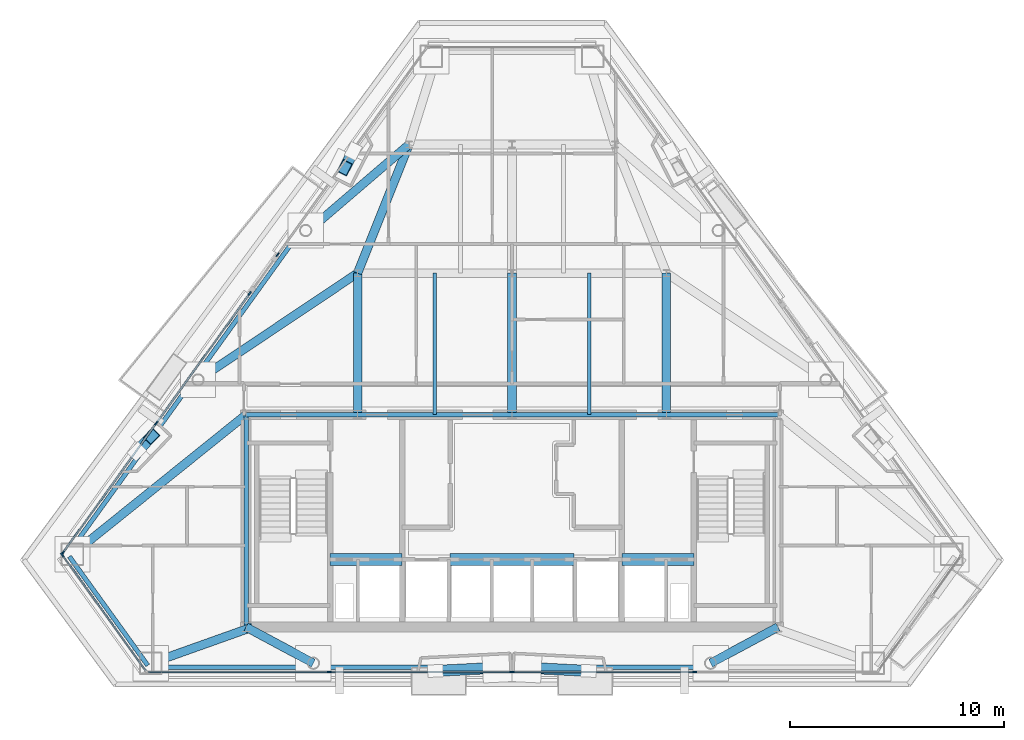
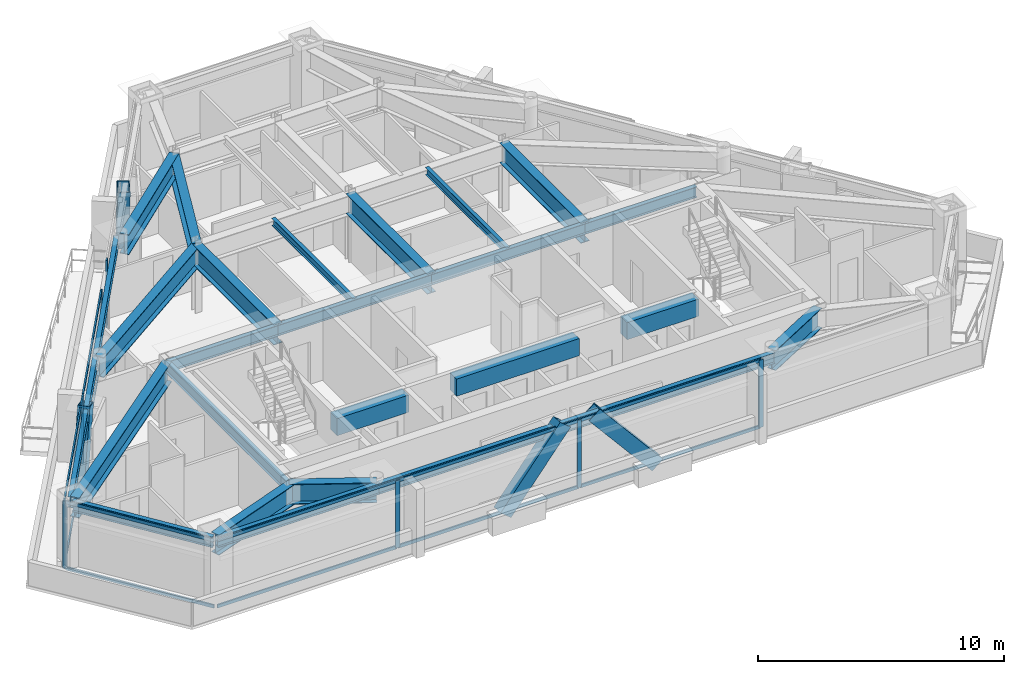
# One storey, part 3 of 11: 25 beams, 24 members, 4 elements without a shape of their own.
"""IFC4 building model written with IfcOpenShell, lengths in metres."""

from ifc_helpers import new_model, si_unit, direction, frame, origin, origin_2d, place, context, subcontext, project, spatial, rectangle, hollow_rectangle, i_section, extrude, material, layer, layer_set, material_profile, profile_set, type_object, element, aggregate, save


model = new_model("IFC4")

# Units and contexts
model_context = context("Model", 3, precision=1e-05, world=origin(), true_north=direction((0.0, 1.0)))
body_context = subcontext(model_context, "Body", "Model", "MODEL_VIEW")
ifc_project = project(units=[si_unit("LENGTHUNIT", "METRE"), si_unit("AREAUNIT", "SQUARE_METRE"), si_unit("VOLUMEUNIT", "CUBIC_METRE"), si_unit("PLANEANGLEUNIT", "RADIAN"), si_unit("MASSUNIT", "GRAM", prefix="KILO")], contexts=[model_context])

# Site, building, storey
site_placement = place(None, origin())
site = spatial("IfcSite", under=ifc_project, at=site_placement, CompositionType="ELEMENT")
building_placement = place(site_placement, origin())
building = spatial("IfcBuilding", under=site, at=building_placement, Name="Talgorran Terracotta Tower", CompositionType="ELEMENT")
storey_placement = place(building_placement, frame((0.0, 0.0, 185.699951171875)))
storey = spatial("IfcBuildingStorey", under=building, at=storey_placement, Name="L48", CompositionType="ELEMENT", Elevation=185.699951171875)

# Beams
ifc_material_1 = material(Name="Steel Grade 350 (350L0)", Category="steel")
ifc_material_profile_1 = material_profile(ifc_material_1, i_section(OverallWidth=0.39990234375, OverallDepth=1.0, WebThickness=0.01611328125, FlangeThickness=0.031005859375, at=origin_2d()), Name="1000WB296")
ifc_profile_set_1 = profile_set([ifc_material_profile_1], Name="Steel Grade 350 (350L0)")
beam_type_1 = type_object("IfcBeamType", Name="BM_1000WB296", PredefinedType="BEAM", material=ifc_profile_set_1)
for number, where, z_axis, x_axis, name in (
    (1, (-9.259765625, -15.78564453125, 2.85009765625), (-0.881090647675, 0.472947428981, 0.0), (-0.472947428981, -0.881090647675, 0.0), "L48 South-West Core Tie Beam"),
    (2, (12.39990234375, -14.10009765625, 2.85009765625), (-0.881090647675, -0.472947428981, 0.0), (0.472947428981, -0.881090647675, 0.0), "L48 South-East Core Tie Beam"),
):
    element("IfcBeam", number, at=place(storey_placement, frame(where, z_axis=z_axis, x_axis=x_axis)), inside=storey, type_object=beam_type_1, Name=name, PredefinedType="BEAM", context=body_context, shape_type="SweptSolid", body=[
        extrude(i_section(OverallWidth=0.39990234375, OverallDepth=1.0, WebThickness=0.01611328125, FlangeThickness=0.031005859375, at=origin_2d()), origin(), (0.0, 0.0, 1.0), 3.56396484375),
    ])
beam_1_placement = place(storey_placement, frame((-16.8359375, -15.78564453125, 2.85009765625), z_axis=(0.942108352664, 0.335308591958, 0.0), x_axis=(-0.335308591958, 0.942108352664, 0.0)))
element("IfcBeam", 3, at=beam_1_placement, inside=storey, type_object=beam_type_1, Name="L48 Perimeter Step Girder 2", PredefinedType="BEAM", context=body_context, shape_type="SweptSolid", body=[
    extrude(i_section(OverallWidth=0.39990234375, OverallDepth=1.0, WebThickness=0.01611328125, FlangeThickness=0.031005859375, at=origin_2d()), origin(), (0.0, 0.0, 1.0), 5.02685546875),
])
for number, where, z_axis, x_axis, name in (
    (4, (-7.199951171875, -4.199951171875, 2.85009765625), (0.0, 1.0, 0.0), (-1.0, 0.0, 0.0), "L48 Floor Girder G01"),
    (5, (0.0, -4.199951171875, 2.85009765625), (0.0, 1.0, 0.0), (-1.0, 0.0, 0.0), "L48 Floor Girder G02"),
    (6, (7.199951171875, -4.199951171875, 2.85009765625), (0.0, 1.0, 0.0), (-1.0, 0.0, 0.0), "L48 Floor Girder G03"),
):
    element("IfcBeam", number, at=place(storey_placement, frame(where, z_axis=z_axis, x_axis=x_axis)), inside=storey, type_object=beam_type_1, Name=name, PredefinedType="BEAM", context=body_context, shape_type="SweptSolid", body=[
        extrude(i_section(OverallWidth=0.39990234375, OverallDepth=1.0, WebThickness=0.01611328125, FlangeThickness=0.031005859375, at=origin_2d()), origin(), (0.0, 0.0, 1.0), 6.599853515625),
    ])
beam_2_placement = place(storey_placement, frame((-7.199951171875, 2.39990234375, 2.85009765625), z_axis=(-0.831121722878, -0.556090533781, 0.0), x_axis=(0.556090533781, -0.831121722878, 0.0)))
element("IfcBeam", 7, at=beam_2_placement, inside=storey, type_object=beam_type_1, Name="L48 Floor Girder G06", PredefinedType="BEAM", context=body_context, shape_type="SweptSolid", body=[
    extrude(i_section(OverallWidth=0.39990234375, OverallDepth=1.0, WebThickness=0.01611328125, FlangeThickness=0.031005859375, at=origin_2d()), origin(), (0.0, 0.0, 1.0), 8.950439453125),
])
beam_3_placement = place(storey_placement, frame((-7.199951171875, 2.39990234375, 2.85009765625), z_axis=(0.371377648723, 0.928481901832, 0.0), x_axis=(-0.928481901832, 0.371377648723, 0.0)))
element("IfcBeam", 8, at=beam_3_placement, inside=storey, type_object=beam_type_1, Name="L48 Floor Girder G08", PredefinedType="BEAM", context=body_context, shape_type="SweptSolid", body=[
    extrude(i_section(OverallWidth=0.39990234375, OverallDepth=1.0, WebThickness=0.01611328125, FlangeThickness=0.031005859375, at=origin_2d()), origin(), (0.0, 0.0, 1.0), 6.462158203125),
])
beam_4_placement = place(storey_placement, frame((-4.800048828125, 8.39990234375, 2.85009765625), z_axis=(-0.75920570373, -0.650850750499, 0.0), x_axis=(0.650850750499, -0.75920570373, 0.0)))
element("IfcBeam", 9, at=beam_4_placement, inside=storey, type_object=beam_type_1, Name="L48 Floor Girder G13", PredefinedType="BEAM", context=body_context, shape_type="SweptSolid", body=[
    extrude(i_section(OverallWidth=0.39990234375, OverallDepth=1.0, WebThickness=0.01611328125, FlangeThickness=0.031005859375, at=origin_2d()), origin(), (0.0, 0.0, 1.0), 6.0947265625),
])
beam_5_placement = place(storey_placement, frame((-12.39990234375, -4.199951171875, 2.85009765625), z_axis=(-0.779371168825, -0.62656251181, 0.0), x_axis=(0.62656251181, -0.779371168825, 0.0)))
element("IfcBeam", 10, at=beam_5_placement, inside=storey, type_object=beam_type_1, Name="L48 Floor Girder G17", PredefinedType="BEAM", context=body_context, shape_type="SweptSolid", body=[
    extrude(i_section(OverallWidth=0.39990234375, OverallDepth=1.0, WebThickness=0.01611328125, FlangeThickness=0.031005859375, at=origin_2d()), origin(), (0.0, 0.0, 1.0), 10.385009765625),
])
ifc_material_2 = material(Name="Concrete C50/60", Category="concrete")
ifc_material_profile_2 = material_profile(ifc_material_2, rectangle(XDim=0.550048828125, YDim=0.85009765625, at=origin_2d()), Name="RCCB550X850")
ifc_profile_set_2 = profile_set([ifc_material_profile_2], Name="Concrete C50/60")
beam_type_2 = type_object("IfcBeamType", Name="BM_CB_550X850", PredefinedType="LINTEL", material=ifc_profile_set_2)
beam_6_placement = place(storey_placement, frame((-8.47998046875, -10.949951171875, 2.925048828125), z_axis=(1.0, 0.0, 0.0), x_axis=(0.0, 1.0, 0.0)))
element("IfcBeam", 11, at=beam_6_placement, inside=storey, type_object=beam_type_2, Name="L48 Core Shear-Wall Coupling Beam CB1", PredefinedType="LINTEL", context=body_context, shape_type="SweptSolid", body=[
    extrude(rectangle(XDim=0.550048828125, YDim=0.85009765625, at=origin_2d()), origin(), (0.0, 0.0, 1.0), 3.35986328125),
])
beam_7_placement = place(storey_placement, frame((-2.8798828125, -10.949951171875, 2.925048828125), z_axis=(1.0, 0.0, 0.0), x_axis=(0.0, 1.0, 0.0)))
element("IfcBeam", 12, at=beam_7_placement, inside=storey, type_object=beam_type_2, Name="L48 Core Shear-Wall Coupling Beam CB2", PredefinedType="LINTEL", context=body_context, shape_type="SweptSolid", body=[
    extrude(rectangle(XDim=0.550048828125, YDim=0.85009765625, at=origin_2d()), origin(), (0.0, 0.0, 1.0), 5.759765625),
])
beam_8_placement = place(storey_placement, frame((5.1201171875, -10.949951171875, 2.925048828125), z_axis=(1.0, 0.0, 0.0), x_axis=(0.0, 1.0, 0.0)))
element("IfcBeam", 13, at=beam_8_placement, inside=storey, type_object=beam_type_2, Name="L48 Core Shear-Wall Coupling Beam CB3", PredefinedType="LINTEL", context=body_context, shape_type="SweptSolid", body=[
    extrude(rectangle(XDim=0.550048828125, YDim=0.85009765625, at=origin_2d()), origin(), (0.0, 0.0, 1.0), 3.35986328125),
])
ifc_material_3 = material(Name="Steel S355 (300PLUS)", Category="steel")
ifc_material_profile_3 = material_profile(ifc_material_3, i_section(OverallWidth=0.17138671875, OverallDepth=0.355712890625, WebThickness=0.00732421875, FlangeThickness=0.011474609375, at=origin_2d()), Name="360UB50.7")
ifc_profile_set_3 = profile_set([ifc_material_profile_3], Name="Steel S355 (300PLUS)")
beam_type_3 = type_object("IfcBeamType", Name="BM_JS_360UB51", PredefinedType="JOIST", material=ifc_profile_set_3)
for number, where, z_axis, x_axis, name in (
    (14, (-3.60009765625, -4.199951171875, 3.17236328125), (0.0, 1.0, 0.0), (-1.0, 0.0, 0.0), "L48 Secondary Joist J01"),
    (15, (3.60009765625, -4.199951171875, 3.17236328125), (0.0, 1.0, 0.0), (-1.0, 0.0, 0.0), "L48 Secondary Joist J02"),
):
    element("IfcBeam", number, at=place(storey_placement, frame(where, z_axis=z_axis, x_axis=x_axis)), inside=storey, type_object=beam_type_3, Name=name, PredefinedType="JOIST", context=body_context, shape_type="SweptSolid", body=[
        extrude(i_section(OverallWidth=0.17138671875, OverallDepth=0.355712890625, WebThickness=0.00732421875, FlangeThickness=0.011474609375, at=origin_2d()), origin(), (0.0, 0.0, 1.0), 6.599853515625),
    ])
ifc_material_profile_4 = material_profile(ifc_material_3, i_section(OverallWidth=0.209228515625, OverallDepth=0.532958984375, WebThickness=0.01025390625, FlangeThickness=0.015625, at=origin_2d()), Name="530UB92.4")
ifc_profile_set_4 = profile_set([ifc_material_profile_4], Name="Steel S355 (300PLUS)")
beam_type_4 = type_object("IfcBeamType", Name="BM_SP_530UB92", PredefinedType="SPANDREL", material=ifc_profile_set_4)
beam_9_placement = place(storey_placement, frame((-20.639892578125, -10.81201171875, 3.08349609375), z_axis=(0.584403369452, -0.811463308951, 0.0), x_axis=(0.811463308951, 0.584403369452, 0.0)))
element("IfcBeam", 16, at=beam_9_placement, inside=storey, type_object=beam_type_4, Name="L48 Perimeter Spandrel Beam MC1-MC2", PredefinedType="SPANDREL", context=body_context, shape_type="SweptSolid", body=[
    extrude(i_section(OverallWidth=0.209228515625, OverallDepth=0.532958984375, WebThickness=0.01025390625, FlangeThickness=0.015625, at=origin_2d()), origin(), (0.0, 0.0, 1.0), 6.2587890625),
])
beam_10_placement = place(storey_placement, frame((-16.8359375, -15.965576171875, 3.08349609375), z_axis=(1.0, 0.0, 0.0), x_axis=(0.0, 1.0, 0.0)))
element("IfcBeam", 17, at=beam_10_placement, inside=storey, type_object=beam_type_4, Name="L48 Perimeter Spandrel Beam MC2-FC1", PredefinedType="SPANDREL", context=body_context, shape_type="SweptSolid", body=[
    extrude(i_section(OverallWidth=0.209228515625, OverallDepth=0.532958984375, WebThickness=0.01025390625, FlangeThickness=0.015625, at=origin_2d()), origin(), (0.0, 0.0, 1.0), 7.576171875),
])
beam_11_placement = place(storey_placement, frame((-9.259765625, -15.965576171875, 3.08349609375), z_axis=(1.0, 0.0, 0.0), x_axis=(0.0, 1.0, 0.0)))
element("IfcBeam", 18, at=beam_11_placement, inside=storey, type_object=beam_type_4, Name="L48 Perimeter Spandrel Beam FC1-FC2", PredefinedType="SPANDREL", context=body_context, shape_type="SweptSolid", body=[
    extrude(i_section(OverallWidth=0.209228515625, OverallDepth=0.532958984375, WebThickness=0.01025390625, FlangeThickness=0.015625, at=origin_2d()), origin(), (0.0, 0.0, 1.0), 18.51953125),
])
beam_12_placement = place(storey_placement, frame((-9.7666015625, 4.495849609375, 3.08349609375), z_axis=(-0.584426052547, -0.811446972453, 0.0), x_axis=(0.811446972453, -0.584426052547, 0.0)))
element("IfcBeam", 19, at=beam_12_placement, inside=storey, type_object=beam_type_4, Name="L48 Perimeter Spandrel Beam FC5-FC6", PredefinedType="SPANDREL", context=body_context, shape_type="SweptSolid", body=[
    extrude(i_section(OverallWidth=0.209228515625, OverallDepth=0.532958984375, WebThickness=0.01025390625, FlangeThickness=0.015625, at=origin_2d()), origin(), (0.0, 0.0, 1.0), 8.587158203125),
])
beam_13_placement = place(storey_placement, frame((-14.78515625, -2.47216796875, 3.08349609375), z_axis=(-0.584408080177, -0.811459916339, 0.0), x_axis=(0.811459916339, -0.584408080177, 0.0)))
element("IfcBeam", 20, at=beam_13_placement, inside=storey, type_object=beam_type_4, Name="L48 Perimeter Spandrel Beam FC6-MC1", PredefinedType="SPANDREL", context=body_context, shape_type="SweptSolid", body=[
    extrude(i_section(OverallWidth=0.209228515625, OverallDepth=0.532958984375, WebThickness=0.01025390625, FlangeThickness=0.015625, at=origin_2d()), origin(), (0.0, 0.0, 1.0), 10.018310546875),
])
beam_14_placement = place(storey_placement, frame((-12.39990234375, -14.10009765625, 3.08349609375), z_axis=(0.0, 1.0, 0.0), x_axis=(-1.0, 0.0, 0.0)))
element("IfcBeam", 21, at=beam_14_placement, inside=storey, type_object=beam_type_4, Name="L48 Core Frame Beam CFW", PredefinedType="SPANDREL", context=body_context, shape_type="SweptSolid", body=[
    extrude(i_section(OverallWidth=0.209228515625, OverallDepth=0.532958984375, WebThickness=0.01025390625, FlangeThickness=0.015625, at=origin_2d()), origin(), (0.0, 0.0, 1.0), 9.900146484375),
])
beam_15_placement = place(storey_placement, frame((-12.39990234375, -4.199951171875, 3.08349609375), z_axis=(1.0, 0.0, 0.0), x_axis=(0.0, 1.0, 0.0)))
element("IfcBeam", 22, at=beam_15_placement, inside=storey, type_object=beam_type_4, Name="L48 Core Frame Beam CFN1", PredefinedType="SPANDREL", context=body_context, shape_type="SweptSolid", body=[
    extrude(i_section(OverallWidth=0.209228515625, OverallDepth=0.532958984375, WebThickness=0.01025390625, FlangeThickness=0.015625, at=origin_2d()), origin(), (0.0, 0.0, 1.0), 5.199951171875),
])
for number, where, z_axis, x_axis, name in (
    (23, (-7.199951171875, -4.199951171875, 3.08349609375), (1.0, 0.0, 0.0), (0.0, 1.0, 0.0), "L48 Core Frame Beam CFN2"),
    (24, (0.0, -4.199951171875, 3.08349609375), (1.0, 0.0, 0.0), (0.0, 1.0, 0.0), "L48 Core Frame Beam CFN3"),
):
    element("IfcBeam", number, at=place(storey_placement, frame(where, z_axis=z_axis, x_axis=x_axis)), inside=storey, type_object=beam_type_4, Name=name, PredefinedType="SPANDREL", context=body_context, shape_type="SweptSolid", body=[
        extrude(i_section(OverallWidth=0.209228515625, OverallDepth=0.532958984375, WebThickness=0.01025390625, FlangeThickness=0.015625, at=origin_2d()), origin(), (0.0, 0.0, 1.0), 7.199951171875),
    ])
beam_16_placement = place(storey_placement, frame((7.199951171875, -4.199951171875, 3.08349609375), z_axis=(1.0, 0.0, 0.0), x_axis=(0.0, 1.0, 0.0)))
element("IfcBeam", 25, at=beam_16_placement, inside=storey, type_object=beam_type_4, Name="L48 Core Frame Beam CFN4", PredefinedType="SPANDREL", context=body_context, shape_type="SweptSolid", body=[
    extrude(i_section(OverallWidth=0.209228515625, OverallDepth=0.532958984375, WebThickness=0.01025390625, FlangeThickness=0.015625, at=origin_2d()), origin(), (0.0, 0.0, 1.0), 5.199951171875),
])

# Members
ifc_material_profile_5 = material_profile(ifc_material_1, hollow_rectangle(XDim=0.52001953125, YDim=0.659912109375, WallThickness=0.034912109375, at=origin_2d()), Name="WBOX660X520X35")
ifc_profile_set_5 = profile_set([ifc_material_profile_5], Name="Steel Grade 350 (350L0)")
member_type_1 = type_object("IfcMemberType", Name="MB_MEGA_660", PredefinedType="BRACE", material=ifc_profile_set_5)
for number, where, z_axis, x_axis, name in (
    (26, (-3.57421875, -16.1455078125, -0.02490234375), (0.645969529794, 0.032366934473, 0.762676699611), (-0.050043197039, 0.998747054279, 0.0), "L48 Exterior Face Mega-Brace MB-3 (SWF)"),
    (27, (3.57421875, -16.1455078125, -0.02490234375), (-0.645969529794, 0.032366934473, 0.762676699611), (-0.050043197039, -0.998747054279, 0.0), "L48 Exterior Face Mega-Brace MB-3 (SEF)"),
):
    element("IfcMember", number, at=place(storey_placement, frame(where, z_axis=z_axis, x_axis=x_axis)), inside=storey, type_object=member_type_1, Name=name, PredefinedType="BRACE", context=body_context, shape_type="SweptSolid", body=[
        extrude(hollow_rectangle(XDim=0.52001953125, YDim=0.659912109375, WallThickness=0.034912109375, at=origin_2d()), origin(), (0.0, 0.0, 1.0), 4.457763671875),
    ])
member_1_placement = place(storey_placement, frame((-7.398681640625, 8.092041015625, -0.02490234375), z_axis=(-0.113176966162, -0.220858554127, 0.96871692119), x_axis=(0.889954581709, -0.456049166753, 0.0)))
element("IfcMember", 28, at=member_1_placement, inside=storey, type_object=member_type_1, Name="L48 Exterior Face Mega-Brace MB-3 (NWU)", PredefinedType="BRACE", context=body_context, shape_type="SweptSolid", body=[
    extrude(hollow_rectangle(XDim=0.52001953125, YDim=0.659912109375, WallThickness=0.034912109375, at=origin_2d()), origin(), (0.0, 0.0, 1.0), 3.509765625),
])
member_2_placement = place(storey_placement, frame((-17.489013671875, -5.918701171875, -0.02490234375), z_axis=(0.192398092856, 0.200193354417, 0.960679756585), x_axis=(-0.721004915096, 0.692929947692, 0.0)))
element("IfcMember", 29, at=member_2_placement, inside=storey, type_object=member_type_1, Name="L48 Exterior Face Mega-Brace MB-3 (NWL)", PredefinedType="BRACE", context=body_context, shape_type="SweptSolid", body=[
    extrude(hollow_rectangle(XDim=0.52001953125, YDim=0.659912109375, WallThickness=0.034912109375, at=origin_2d()), origin(), (0.0, 0.0, 1.0), 3.5390625),
])

# Curtain wall, member
ifc_material_4 = material(Name="High-Wind Unitised Glazing", Category="glass")
ifc_layer = layer(ifc_material_4, 0.2099609375, Name="CW_SYS3_RES_HIGH")
ifc_layer_set = layer_set([ifc_layer], Name="High-Wind Unitised Glazing")
curtain_wall_type = type_object("IfcCurtainWallType", Name="CW_SYS3_RES_HIGH", PredefinedType="NOTDEFINED", material=ifc_layer_set)
curtain_wall_1_placement = place(storey_placement, origin())
curtain_wall_1 = element("IfcCurtainWall", 30, at=curtain_wall_1_placement, inside=storey, type_object=curtain_wall_type, Name="CW-L48-F0", PredefinedType="NOTDEFINED")
ifc_material_5 = material(Name="Architectural Aluminium 6063-T6", Category="aluminium")
ifc_material_profile_6 = material_profile(ifc_material_5, rectangle(XDim=0.070068359375, YDim=0.199951171875, at=origin_2d()), Name="CWM70X200")
ifc_profile_set_6 = profile_set([ifc_material_profile_6], Name="Architectural Aluminium 6063-T6")
member_type_2 = type_object("IfcMemberType", Name="MUL_70X200", PredefinedType="MULLION", material=ifc_profile_set_6)
member_3_placement = place(storey_placement, frame((-20.966064453125, -10.735107421875, 0.0), z_axis=(0.0, 0.0, 1.0), x_axis=(0.811459609223, 0.584408506612, 0.0)))
member_3 = element("IfcMember", 31, at=member_3_placement, type_object=member_type_2, Name="CW-L48-0 mullion 1", PredefinedType="MULLION", context=body_context, shape_type="SweptSolid", body=[
    extrude(rectangle(XDim=0.070068359375, YDim=0.199951171875, at=origin_2d()), origin(), (0.0, 0.0, 1.0), 3.35009765625),
])

# Curtain wall, members
curtain_wall_2_placement = place(storey_placement, origin())
curtain_wall_2 = element("IfcCurtainWall", 32, at=curtain_wall_2_placement, inside=storey, type_object=curtain_wall_type, Name="CW-L48-F1", PredefinedType="NOTDEFINED")
member_4_placement = place(storey_placement, frame((-8.5205078125, -16.185546875, 0.0), z_axis=(0.0, 0.0, 1.0), x_axis=(0.0, 1.0, 0.0)))
member_4 = element("IfcMember", 33, at=member_4_placement, type_object=member_type_2, Name="CW-L48-1 mullion 2", PredefinedType="MULLION", context=body_context, shape_type="SweptSolid", body=[
    extrude(rectangle(XDim=0.070068359375, YDim=0.199951171875, at=origin_2d()), origin(), (0.0, 0.0, 1.0), 3.35009765625),
])
member_5_placement = place(storey_placement, frame((0.0, -16.185546875, 0.0), z_axis=(0.0, 0.0, 1.0), x_axis=(0.0, 1.0, 0.0)))
member_5 = element("IfcMember", 34, at=member_5_placement, type_object=member_type_2, Name="CW-L48-1 mullion 3", PredefinedType="MULLION", context=body_context, shape_type="SweptSolid", body=[
    extrude(rectangle(XDim=0.070068359375, YDim=0.199951171875, at=origin_2d()), origin(), (0.0, 0.0, 1.0), 3.35009765625),
])
member_6_placement = place(storey_placement, frame((8.5205078125, -16.185546875, 0.0), z_axis=(0.0, 0.0, 1.0), x_axis=(0.0, 1.0, 0.0)))
member_6 = element("IfcMember", 35, at=member_6_placement, type_object=member_type_2, Name="CW-L48-1 mullion 4", PredefinedType="MULLION", context=body_context, shape_type="SweptSolid", body=[
    extrude(rectangle(XDim=0.070068359375, YDim=0.199951171875, at=origin_2d()), origin(), (0.0, 0.0, 1.0), 3.35009765625),
])

# Curtain wall, member
curtain_wall_3_placement = place(storey_placement, origin())
curtain_wall_3 = element("IfcCurtainWall", 36, at=curtain_wall_3_placement, inside=storey, type_object=curtain_wall_type, Name="CW-L48-F60", PredefinedType="NOTDEFINED")
member_7_placement = place(storey_placement, frame((-10.929931640625, 3.257080078125, 0.0), z_axis=(0.0, 0.0, 1.0), x_axis=(0.811462947376, -0.584403871509, 0.0)))
member_7 = element("IfcMember", 37, at=member_7_placement, type_object=member_type_2, Name="CW-L48-60 mullion 2", PredefinedType="MULLION", context=body_context, shape_type="SweptSolid", body=[
    extrude(rectangle(XDim=0.070068359375, YDim=0.199951171875, at=origin_2d()), origin(), (0.0, 0.0, 1.0), 3.35009765625),
])
aggregate(curtain_wall_3, [member_7])

# Curtain wall, members
curtain_wall_4_placement = place(storey_placement, origin())
curtain_wall_4 = element("IfcCurtainWall", 38, at=curtain_wall_4_placement, inside=storey, type_object=curtain_wall_type, Name="CW-L48-F61", PredefinedType="NOTDEFINED")
member_8_placement = place(storey_placement, frame((-12.233154296875, 1.447509765625, 0.0), z_axis=(0.0, 0.0, 1.0), x_axis=(0.811462004376, -0.584405180893, 0.0)))
member_8 = element("IfcMember", 39, at=member_8_placement, type_object=member_type_2, Name="CW-L48-61 mullion 1", PredefinedType="MULLION", context=body_context, shape_type="SweptSolid", body=[
    extrude(rectangle(XDim=0.070068359375, YDim=0.199951171875, at=origin_2d()), origin(), (0.0, 0.0, 1.0), 3.35009765625),
])
member_9_placement = place(storey_placement, frame((-16.587890625, -4.59912109375, 0.0), z_axis=(0.0, 0.0, 1.0), x_axis=(0.811462004376, -0.584405180893, 0.0)))
member_9 = element("IfcMember", 40, at=member_9_placement, type_object=member_type_2, Name="CW-L48-61 mullion 2", PredefinedType="MULLION", context=body_context, shape_type="SweptSolid", body=[
    extrude(rectangle(XDim=0.070068359375, YDim=0.199951171875, at=origin_2d()), origin(), (0.0, 0.0, 1.0), 3.35009765625),
])
member_10_placement = place(storey_placement, frame((-20.942626953125, -10.64599609375, 0.0), z_axis=(0.0, 0.0, 1.0), x_axis=(0.811462004376, -0.584405180893, 0.0)))
member_10 = element("IfcMember", 41, at=member_10_placement, type_object=member_type_2, Name="CW-L48-61 mullion 3", PredefinedType="MULLION", context=body_context, shape_type="SweptSolid", body=[
    extrude(rectangle(XDim=0.070068359375, YDim=0.199951171875, at=origin_2d()), origin(), (0.0, 0.0, 1.0), 3.35009765625),
])

# Member
ifc_material_profile_7 = material_profile(ifc_material_5, rectangle(XDim=0.070068359375, YDim=0.159912109375, at=origin_2d()), Name="CWT70X160")
ifc_profile_set_7 = profile_set([ifc_material_profile_7], Name="Architectural Aluminium 6063-T6")
member_type_3 = type_object("IfcMemberType", Name="TRN_70X160", PredefinedType="USERDEFINED", material=ifc_profile_set_7)
member_11_placement = place(storey_placement, frame((-20.94580078125, -10.763671875, 0.03515625), z_axis=(0.584408803062, -0.811459395721, 0.0), x_axis=(0.811459395721, 0.584408803062, 0.0)))
member_11 = element("IfcMember", 42, at=member_11_placement, type_object=member_type_3, Name="CW-L48-0 transom 1.1", ObjectType="TRANSOM", PredefinedType="USERDEFINED", context=body_context, shape_type="SweptSolid", body=[
    extrude(rectangle(XDim=0.070068359375, YDim=0.159912109375, at=origin_2d()), origin(), (0.0, 0.0, 1.0), 6.61181640625),
])

member_12_placement = place(storey_placement, frame((-20.94580078125, -10.763671875, 3.31494140625), z_axis=(0.584408803062, -0.811459395721, 0.0), x_axis=(0.811459395721, 0.584408803062, 0.0)))
member_12 = element("IfcMember", 43, at=member_12_placement, type_object=member_type_3, Name="CW-L48-0 transom 1.2", ObjectType="TRANSOM", PredefinedType="USERDEFINED", context=body_context, shape_type="SweptSolid", body=[
    extrude(rectangle(XDim=0.070068359375, YDim=0.159912109375, at=origin_2d()), origin(), (0.0, 0.0, 1.0), 6.61181640625),
])

aggregate(curtain_wall_1, [member_3, member_11, member_12])

member_13_placement = place(storey_placement, frame((-16.970703125, -16.185546875, 0.03515625), z_axis=(1.0, 0.0, 0.0), x_axis=(0.0, 1.0, 0.0)))
member_13 = element("IfcMember", 44, at=member_13_placement, type_object=member_type_3, Name="CW-L48-1 transom 1.1", ObjectType="TRANSOM", PredefinedType="USERDEFINED", context=body_context, shape_type="SweptSolid", body=[
    extrude(rectangle(XDim=0.070068359375, YDim=0.159912109375, at=origin_2d()), origin(), (0.0, 0.0, 1.0), 8.415283203125),
])

member_14_placement = place(storey_placement, frame((-16.970703125, -16.185546875, 3.31494140625), z_axis=(1.0, 0.0, 0.0), x_axis=(0.0, 1.0, 0.0)))
member_14 = element("IfcMember", 45, at=member_14_placement, type_object=member_type_3, Name="CW-L48-1 transom 1.2", ObjectType="TRANSOM", PredefinedType="USERDEFINED", context=body_context, shape_type="SweptSolid", body=[
    extrude(rectangle(XDim=0.070068359375, YDim=0.159912109375, at=origin_2d()), origin(), (0.0, 0.0, 1.0), 8.415283203125),
])

member_15_placement = place(storey_placement, frame((-8.4853515625, -16.185546875, 0.03515625), z_axis=(1.0, 0.0, 0.0), x_axis=(0.0, 1.0, 0.0)))
member_15 = element("IfcMember", 46, at=member_15_placement, type_object=member_type_3, Name="CW-L48-1 transom 2.1", ObjectType="TRANSOM", PredefinedType="USERDEFINED", context=body_context, shape_type="SweptSolid", body=[
    extrude(rectangle(XDim=0.070068359375, YDim=0.159912109375, at=origin_2d()), origin(), (0.0, 0.0, 1.0), 8.450439453125),
])

member_16_placement = place(storey_placement, frame((-8.4853515625, -16.185546875, 3.31494140625), z_axis=(1.0, 0.0, 0.0), x_axis=(0.0, 1.0, 0.0)))
member_16 = element("IfcMember", 47, at=member_16_placement, type_object=member_type_3, Name="CW-L48-1 transom 2.2", ObjectType="TRANSOM", PredefinedType="USERDEFINED", context=body_context, shape_type="SweptSolid", body=[
    extrude(rectangle(XDim=0.070068359375, YDim=0.159912109375, at=origin_2d()), origin(), (0.0, 0.0, 1.0), 8.450439453125),
])

member_17_placement = place(storey_placement, frame((0.034912109375, -16.185546875, 0.03515625), z_axis=(1.0, 0.0, 0.0), x_axis=(0.0, 1.0, 0.0)))
member_17 = element("IfcMember", 48, at=member_17_placement, type_object=member_type_3, Name="CW-L48-1 transom 3.1", ObjectType="TRANSOM", PredefinedType="USERDEFINED", context=body_context, shape_type="SweptSolid", body=[
    extrude(rectangle(XDim=0.070068359375, YDim=0.159912109375, at=origin_2d()), origin(), (0.0, 0.0, 1.0), 8.450439453125),
])

member_18_placement = place(storey_placement, frame((0.034912109375, -16.185546875, 3.31494140625), z_axis=(1.0, 0.0, 0.0), x_axis=(0.0, 1.0, 0.0)))
member_18 = element("IfcMember", 49, at=member_18_placement, type_object=member_type_3, Name="CW-L48-1 transom 3.2", ObjectType="TRANSOM", PredefinedType="USERDEFINED", context=body_context, shape_type="SweptSolid", body=[
    extrude(rectangle(XDim=0.070068359375, YDim=0.159912109375, at=origin_2d()), origin(), (0.0, 0.0, 1.0), 8.450439453125),
])

aggregate(curtain_wall_2, [member_4, member_5, member_6, member_13, member_14, member_15, member_16, member_17, member_18])

member_19_placement = place(storey_placement, frame((-12.253662109375, 1.419189453125, 0.03515625), z_axis=(-0.584387495358, -0.811474740993, 0.0), x_axis=(0.811474740993, -0.584387495358, 0.0)))
member_19 = element("IfcMember", 50, at=member_19_placement, type_object=member_type_3, Name="CW-L48-61 transom 1.1", ObjectType="TRANSOM", PredefinedType="USERDEFINED", context=body_context, shape_type="SweptSolid", body=[
    extrude(rectangle(XDim=0.070068359375, YDim=0.159912109375, at=origin_2d()), origin(), (0.0, 0.0, 1.0), 7.381591796875),
])

member_20_placement = place(storey_placement, frame((-12.253662109375, 1.419189453125, 3.31494140625), z_axis=(-0.584387495358, -0.811474740993, 0.0), x_axis=(0.811474740993, -0.584387495358, 0.0)))
member_20 = element("IfcMember", 51, at=member_20_placement, type_object=member_type_3, Name="CW-L48-61 transom 1.2", ObjectType="TRANSOM", PredefinedType="USERDEFINED", context=body_context, shape_type="SweptSolid", body=[
    extrude(rectangle(XDim=0.070068359375, YDim=0.159912109375, at=origin_2d()), origin(), (0.0, 0.0, 1.0), 7.381591796875),
])

member_21_placement = place(storey_placement, frame((-16.6083984375, -4.62744140625, 0.03515625), z_axis=(-0.584409273778, -0.811459056714, 0.0), x_axis=(0.811459056714, -0.584409273778, 0.0)))
member_21 = element("IfcMember", 52, at=member_21_placement, type_object=member_type_3, Name="CW-L48-61 transom 2.1", ObjectType="TRANSOM", PredefinedType="USERDEFINED", context=body_context, shape_type="SweptSolid", body=[
    extrude(rectangle(XDim=0.070068359375, YDim=0.159912109375, at=origin_2d()), origin(), (0.0, 0.0, 1.0), 7.3818359375),
])

member_22_placement = place(storey_placement, frame((-16.6083984375, -4.62744140625, 3.31494140625), z_axis=(-0.584409273778, -0.811459056714, 0.0), x_axis=(0.811459056714, -0.584409273778, 0.0)))
member_22 = element("IfcMember", 53, at=member_22_placement, type_object=member_type_3, Name="CW-L48-61 transom 2.2", ObjectType="TRANSOM", PredefinedType="USERDEFINED", context=body_context, shape_type="SweptSolid", body=[
    extrude(rectangle(XDim=0.070068359375, YDim=0.159912109375, at=origin_2d()), origin(), (0.0, 0.0, 1.0), 7.3818359375),
])

aggregate(curtain_wall_4, [member_8, member_9, member_10, member_19, member_20, member_21, member_22])

save(model, "model.ifc")
